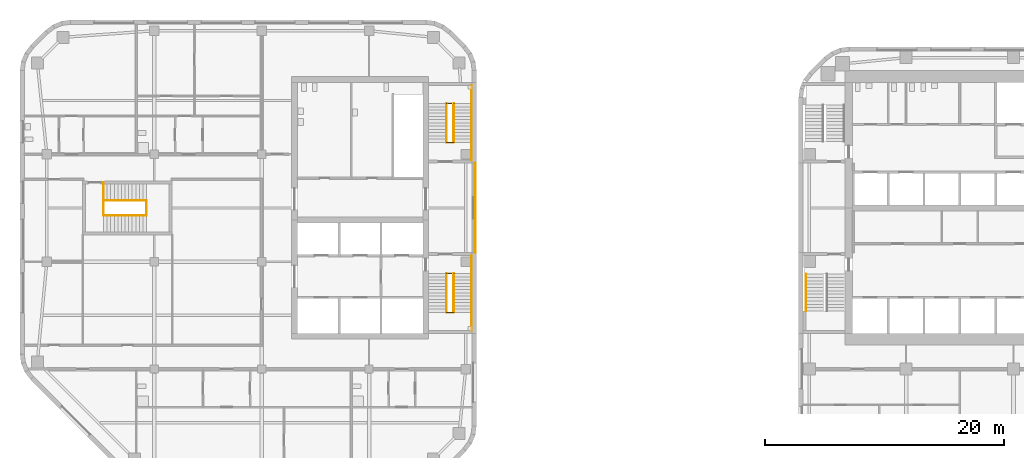
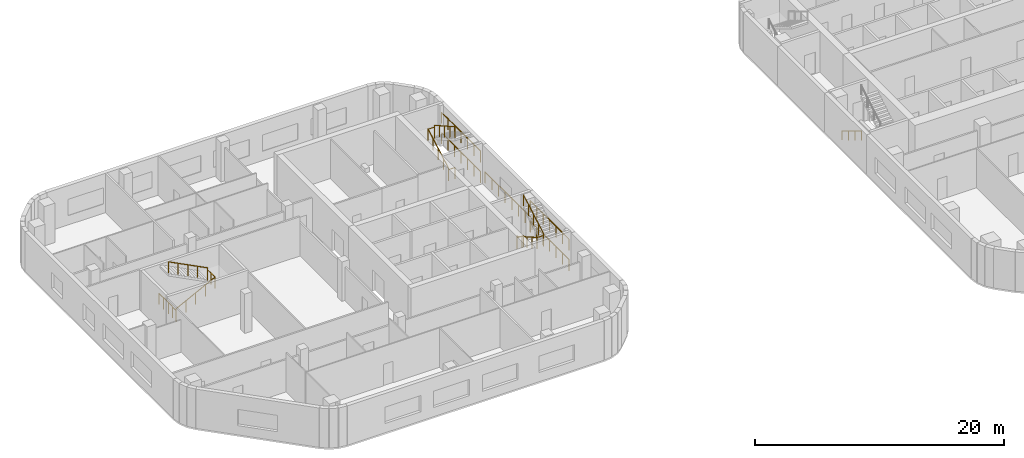
# One storey, part 14 of 16: 19 railings, 1 element without a shape of its own.
"""IFC4 building model written with IfcOpenShell, lengths in metres."""

from ifc_helpers import new_model, si_unit, direction, frame, origin, origin_2d, place, context, subcontext, project, spatial, circle, extrude, material, type_object, element, aggregate, save


model = new_model("IFC4")

# Units and contexts
model_context = context("Model", 3, precision=1e-05, world=origin(), true_north=direction((0.0, 1.0)))
body_context = subcontext(model_context, "Body", "Model", "MODEL_VIEW")
ifc_project = project(units=[si_unit("LENGTHUNIT", "METRE"), si_unit("AREAUNIT", "SQUARE_METRE"), si_unit("VOLUMEUNIT", "CUBIC_METRE"), si_unit("PLANEANGLEUNIT", "RADIAN"), si_unit("MASSUNIT", "GRAM", prefix="KILO")], contexts=[model_context])

# Site, building, storey
site_placement = place(None, origin())
site = spatial("IfcSite", under=ifc_project, at=site_placement, CompositionType="ELEMENT")
building_placement = place(site_placement, origin())
building = spatial("IfcBuilding", under=site, at=building_placement, Name="Cinnabar Reach Civic Tower", CompositionType="ELEMENT")
storey_placement = place(building_placement, frame((0.0, 0.0, 79.0)))
storey = spatial("IfcBuildingStorey", under=building, at=storey_placement, Name="L18", CompositionType="ELEMENT", Elevation=79.0)

# Stair, railing
ifc_material_1 = material(Name="Concrete C40/50", Category="concrete")
stair_type = type_object("IfcStairType", Name="T1 Exit stair, half-turn", PredefinedType="HALF_TURN_STAIR", material=ifc_material_1)
stair_placement = place(storey_placement, origin())
stair = element("IfcStair", 1, at=stair_placement, inside=storey, type_object=stair_type, Name="Stair T1-S1", PredefinedType="HALF_TURN_STAIR")
ifc_material_2 = material(Name="Stainless steel tube", Category="steel")
railing_type_1 = type_object("IfcRailingType", Name="T1 Stair handrail, stainless tube 48", PredefinedType="HANDRAIL", material=ifc_material_2)
railing_1_placement = place(storey_placement, frame((0.6, 25.95, 0.1667)))
railing_1 = element("IfcRailing", 2, at=railing_1_placement, type_object=railing_type_1, Name="T1-S1 handrail 1", PredefinedType="HANDRAIL", context=body_context, shape_type="SweptSolid", body=[
    extrude(circle(Radius=0.024, at=origin_2d()), frame((0.0, 0.0, 0.876), z_axis=(0.0, -0.859296971757, 0.511476992962), x_axis=(1.0, 0.0, 0.0)), (0.0, 0.0, 1.0), 3.5843),
    extrude(circle(Radius=0.021, at=origin_2d()), origin(), (0.0, 0.0, 1.0), 0.852),
    extrude(circle(Radius=0.021, at=origin_2d()), frame((0.0, -1.0267, 0.6111)), (0.0, 0.0, 1.0), 0.852),
    extrude(circle(Radius=0.021, at=origin_2d()), frame((0.0, -2.0533, 1.2222)), (0.0, 0.0, 1.0), 0.852),
    extrude(circle(Radius=0.021, at=origin_2d()), frame((0.0, -3.08, 1.8333)), (0.0, 0.0, 1.0), 0.852),
])
aggregate(stair, [railing_1])

# Railings
ifc_material_3 = material(Name="Stainless steel", Category="steel")
railing_type_2 = type_object("IfcRailingType", Name="T2 Stair guard 1100", PredefinedType="GUARDRAIL", material=ifc_material_3)
railing_2_placement = place(storey_placement, frame((-27.1, 27.75, 0.0)))
element("IfcRailing", 3, at=railing_2_placement, inside=storey, type_object=railing_type_2, Name="Corridor end guard", PredefinedType="GUARDRAIL", context=body_context, shape_type="SweptSolid", body=[
    extrude(circle(Radius=0.024, at=origin_2d()), frame((0.0, 0.0, 1.076), z_axis=(0.0, 1.0, 0.0), x_axis=(-1.0, 0.0, 0.0)), (0.0, 0.0, 1.0), 7.5),
    extrude(circle(Radius=0.021, at=origin_2d()), origin(), (0.0, 0.0, 1.0), 1.052),
    extrude(circle(Radius=0.021, at=origin_2d()), frame((0.0, 1.0714, 0.0)), (0.0, 0.0, 1.0), 1.052),
    extrude(circle(Radius=0.021, at=origin_2d()), frame((0.0, 2.1429, 0.0)), (0.0, 0.0, 1.0), 1.052),
    extrude(circle(Radius=0.021, at=origin_2d()), frame((0.0, 3.2143, 0.0)), (0.0, 0.0, 1.0), 1.052),
    extrude(circle(Radius=0.021, at=origin_2d()), frame((0.0, 4.2857, 0.0)), (0.0, 0.0, 1.0), 1.052),
    extrude(circle(Radius=0.021, at=origin_2d()), frame((0.0, 5.3571, 0.0)), (0.0, 0.0, 1.0), 1.052),
    extrude(circle(Radius=0.021, at=origin_2d()), frame((0.0, 6.4286, 0.0)), (0.0, 0.0, 1.0), 1.052),
    extrude(circle(Radius=0.021, at=origin_2d()), frame((0.0, 7.5, 0.0)), (0.0, 0.0, 1.0), 1.052),
])
for number, where, name in (
    (4, (-27.4, 21.25, 0.0), "Stair guard 1"),
    (5, (-27.4, 21.25, 2.0), "Stair guard 1"),
):
    element("IfcRailing", number, at=place(storey_placement, frame(where)), inside=storey, type_object=railing_type_2, Name=name, PredefinedType="GUARDRAIL", context=body_context, shape_type="SweptSolid", body=[
        extrude(circle(Radius=0.024, at=origin_2d()), frame((0.0, 0.0, 1.076), z_axis=(0.0, 1.0, 0.0), x_axis=(-1.0, 0.0, 0.0)), (0.0, 0.0, 1.0), 6.25),
        extrude(circle(Radius=0.021, at=origin_2d()), origin(), (0.0, 0.0, 1.0), 1.052),
        extrude(circle(Radius=0.021, at=origin_2d()), frame((0.0, 1.0417, 0.0)), (0.0, 0.0, 1.0), 1.052),
        extrude(circle(Radius=0.021, at=origin_2d()), frame((0.0, 2.0833, 0.0)), (0.0, 0.0, 1.0), 1.052),
        extrude(circle(Radius=0.021, at=origin_2d()), frame((0.0, 3.125, 0.0)), (0.0, 0.0, 1.0), 1.052),
        extrude(circle(Radius=0.021, at=origin_2d()), frame((0.0, 4.1667, 0.0)), (0.0, 0.0, 1.0), 1.052),
        extrude(circle(Radius=0.021, at=origin_2d()), frame((0.0, 5.2083, 0.0)), (0.0, 0.0, 1.0), 1.052),
        extrude(circle(Radius=0.021, at=origin_2d()), frame((0.0, 6.25, 0.0)), (0.0, 0.0, 1.0), 1.052),
    ])
for number, where, name in (
    (6, (-29.5, 26.0, 0.0), "Stair guard 1"),
    (7, (-29.5, 22.75, 2.0), "Stair guard 1"),
):
    element("IfcRailing", number, at=place(storey_placement, frame(where)), inside=storey, type_object=railing_type_2, Name=name, PredefinedType="GUARDRAIL", context=body_context, shape_type="SweptSolid", body=[
        extrude(circle(Radius=0.024, at=origin_2d()), frame((0.0, 0.0, 1.076), z_axis=(1.0, 0.0, 0.0), x_axis=(0.0, 1.0, 0.0)), (0.0, 0.0, 1.0), 0.6),
        extrude(circle(Radius=0.021, at=origin_2d()), origin(), (0.0, 0.0, 1.0), 1.052),
        extrude(circle(Radius=0.021, at=origin_2d()), frame((0.6, 0.0, 0.0)), (0.0, 0.0, 1.0), 1.052),
    ])
railing_3_placement = place(storey_placement, frame((-29.5, 26.0, 0.1538)))
element("IfcRailing", 8, at=railing_3_placement, inside=storey, type_object=railing_type_2, Name="Stair guard 1", PredefinedType="GUARDRAIL", context=body_context, shape_type="SweptSolid", body=[
    extrude(circle(Radius=0.024, at=origin_2d()), frame((0.0, 0.0, 1.076), z_axis=(0.0, -0.869501474428, 0.493930345258), x_axis=(1.0, 0.0, 0.0)), (0.0, 0.0, 1.0), 3.7378),
    extrude(circle(Radius=0.021, at=origin_2d()), origin(), (0.0, 0.0, 1.0), 1.052),
    extrude(circle(Radius=0.021, at=origin_2d()), frame((0.0, -0.8125, 0.4615)), (0.0, 0.0, 1.0), 1.052),
    extrude(circle(Radius=0.021, at=origin_2d()), frame((0.0, -1.625, 0.9231)), (0.0, 0.0, 1.0), 1.052),
    extrude(circle(Radius=0.021, at=origin_2d()), frame((0.0, -2.4375, 1.3846)), (0.0, 0.0, 1.0), 1.052),
    extrude(circle(Radius=0.021, at=origin_2d()), frame((0.0, -3.25, 1.8462)), (0.0, 0.0, 1.0), 1.052),
])
railing_4_placement = place(storey_placement, frame((-28.9, 22.75, 2.1538)))
element("IfcRailing", 9, at=railing_4_placement, inside=storey, type_object=railing_type_2, Name="Stair guard 1", PredefinedType="GUARDRAIL", context=body_context, shape_type="SweptSolid", body=[
    extrude(circle(Radius=0.024, at=origin_2d()), frame((0.0, 0.0, 1.076), z_axis=(0.0, 0.869501474428, 0.493930345258), x_axis=(-1.0, 0.0, 0.0)), (0.0, 0.0, 1.0), 3.7378),
    extrude(circle(Radius=0.021, at=origin_2d()), origin(), (0.0, 0.0, 1.0), 1.052),
    extrude(circle(Radius=0.021, at=origin_2d()), frame((0.0, 0.8125, 0.4615)), (0.0, 0.0, 1.0), 1.052),
    extrude(circle(Radius=0.021, at=origin_2d()), frame((0.0, 1.625, 0.9231)), (0.0, 0.0, 1.0), 1.052),
    extrude(circle(Radius=0.021, at=origin_2d()), frame((0.0, 2.4375, 1.3846)), (0.0, 0.0, 1.0), 1.052),
    extrude(circle(Radius=0.021, at=origin_2d()), frame((0.0, 3.25, 1.8462)), (0.0, 0.0, 1.0), 1.052),
])
for number, where, name in (
    (10, (-27.4, 35.5, 0.0), "Stair guard 2"),
    (11, (-27.4, 35.5, 2.0), "Stair guard 2"),
):
    element("IfcRailing", number, at=place(storey_placement, frame(where)), inside=storey, type_object=railing_type_2, Name=name, PredefinedType="GUARDRAIL", context=body_context, shape_type="SweptSolid", body=[
        extrude(circle(Radius=0.024, at=origin_2d()), frame((0.0, 0.0, 1.076), z_axis=(0.0, 1.0, 0.0), x_axis=(-1.0, 0.0, 0.0)), (0.0, 0.0, 1.0), 6.25),
        extrude(circle(Radius=0.021, at=origin_2d()), origin(), (0.0, 0.0, 1.0), 1.052),
        extrude(circle(Radius=0.021, at=origin_2d()), frame((0.0, 1.0417, 0.0)), (0.0, 0.0, 1.0), 1.052),
        extrude(circle(Radius=0.021, at=origin_2d()), frame((0.0, 2.0833, 0.0)), (0.0, 0.0, 1.0), 1.052),
        extrude(circle(Radius=0.021, at=origin_2d()), frame((0.0, 3.125, 0.0)), (0.0, 0.0, 1.0), 1.052),
        extrude(circle(Radius=0.021, at=origin_2d()), frame((0.0, 4.1667, 0.0)), (0.0, 0.0, 1.0), 1.052),
        extrude(circle(Radius=0.021, at=origin_2d()), frame((0.0, 5.2083, 0.0)), (0.0, 0.0, 1.0), 1.052),
        extrude(circle(Radius=0.021, at=origin_2d()), frame((0.0, 6.25, 0.0)), (0.0, 0.0, 1.0), 1.052),
    ])
for number, where, name in (
    (12, (-29.5, 37.0, 0.0), "Stair guard 2"),
    (13, (-29.5, 40.25, 2.0), "Stair guard 2"),
):
    element("IfcRailing", number, at=place(storey_placement, frame(where)), inside=storey, type_object=railing_type_2, Name=name, PredefinedType="GUARDRAIL", context=body_context, shape_type="SweptSolid", body=[
        extrude(circle(Radius=0.024, at=origin_2d()), frame((0.0, 0.0, 1.076), z_axis=(1.0, 0.0, 0.0), x_axis=(0.0, 1.0, 0.0)), (0.0, 0.0, 1.0), 0.6),
        extrude(circle(Radius=0.021, at=origin_2d()), origin(), (0.0, 0.0, 1.0), 1.052),
        extrude(circle(Radius=0.021, at=origin_2d()), frame((0.6, 0.0, 0.0)), (0.0, 0.0, 1.0), 1.052),
    ])
railing_5_placement = place(storey_placement, frame((-29.5, 37.0, 0.1538)))
element("IfcRailing", 14, at=railing_5_placement, inside=storey, type_object=railing_type_2, Name="Stair guard 2", PredefinedType="GUARDRAIL", context=body_context, shape_type="SweptSolid", body=[
    extrude(circle(Radius=0.024, at=origin_2d()), frame((0.0, 0.0, 1.076), z_axis=(0.0, 0.869501474428, 0.493930345258), x_axis=(-1.0, 0.0, 0.0)), (0.0, 0.0, 1.0), 3.7378),
    extrude(circle(Radius=0.021, at=origin_2d()), origin(), (0.0, 0.0, 1.0), 1.052),
    extrude(circle(Radius=0.021, at=origin_2d()), frame((0.0, 0.8125, 0.4615)), (0.0, 0.0, 1.0), 1.052),
    extrude(circle(Radius=0.021, at=origin_2d()), frame((0.0, 1.625, 0.9231)), (0.0, 0.0, 1.0), 1.052),
    extrude(circle(Radius=0.021, at=origin_2d()), frame((0.0, 2.4375, 1.3846)), (0.0, 0.0, 1.0), 1.052),
    extrude(circle(Radius=0.021, at=origin_2d()), frame((0.0, 3.25, 1.8462)), (0.0, 0.0, 1.0), 1.052),
])
railing_6_placement = place(storey_placement, frame((-28.9, 40.25, 2.1538)))
element("IfcRailing", 15, at=railing_6_placement, inside=storey, type_object=railing_type_2, Name="Stair guard 2", PredefinedType="GUARDRAIL", context=body_context, shape_type="SweptSolid", body=[
    extrude(circle(Radius=0.024, at=origin_2d()), frame((0.0, 0.0, 1.076), z_axis=(0.0, -0.869501474428, 0.493930345258), x_axis=(1.0, 0.0, 0.0)), (0.0, 0.0, 1.0), 3.7378),
    extrude(circle(Radius=0.021, at=origin_2d()), origin(), (0.0, 0.0, 1.0), 1.052),
    extrude(circle(Radius=0.021, at=origin_2d()), frame((0.0, -0.8125, 0.4615)), (0.0, 0.0, 1.0), 1.052),
    extrude(circle(Radius=0.021, at=origin_2d()), frame((0.0, -1.625, 0.9231)), (0.0, 0.0, 1.0), 1.052),
    extrude(circle(Radius=0.021, at=origin_2d()), frame((0.0, -2.4375, 1.3846)), (0.0, 0.0, 1.0), 1.052),
    extrude(circle(Radius=0.021, at=origin_2d()), frame((0.0, -3.25, 1.8462)), (0.0, 0.0, 1.0), 1.052),
])
railing_7_placement = place(storey_placement, frame((-58.25, 30.875, 0.0)))
element("IfcRailing", 16, at=railing_7_placement, inside=storey, type_object=railing_type_2, Name="Stair guard 3", PredefinedType="GUARDRAIL", context=body_context, shape_type="SweptSolid", body=[
    extrude(circle(Radius=0.024, at=origin_2d()), frame((0.0, 0.0, 1.076), z_axis=(0.0, 1.0, 0.0), x_axis=(-1.0, 0.0, 0.0)), (0.0, 0.0, 1.0), 1.25),
    extrude(circle(Radius=0.021, at=origin_2d()), origin(), (0.0, 0.0, 1.0), 1.052),
    extrude(circle(Radius=0.021, at=origin_2d()), frame((0.0, 0.625, 0.0)), (0.0, 0.0, 1.0), 1.052),
    extrude(circle(Radius=0.021, at=origin_2d()), frame((0.0, 1.25, 0.0)), (0.0, 0.0, 1.0), 1.052),
])
railing_8_placement = place(storey_placement, frame((-58.25, 32.125, 0.0)))
element("IfcRailing", 17, at=railing_8_placement, inside=storey, type_object=railing_type_2, Name="Stair guard 3", PredefinedType="GUARDRAIL", context=body_context, shape_type="SweptSolid", body=[
    extrude(circle(Radius=0.024, at=origin_2d()), frame((0.0, 0.0, 1.076), z_axis=(0.0, 1.0, 0.0), x_axis=(-1.0, 0.0, 0.0)), (0.0, 0.0, 1.0), 1.5),
    extrude(circle(Radius=0.021, at=origin_2d()), origin(), (0.0, 0.0, 1.0), 1.052),
    extrude(circle(Radius=0.021, at=origin_2d()), frame((0.0, 0.75, 0.0)), (0.0, 0.0, 1.0), 1.052),
    extrude(circle(Radius=0.021, at=origin_2d()), frame((0.0, 1.5, 0.0)), (0.0, 0.0, 1.0), 1.052),
])
railing_9_placement = place(storey_placement, frame((-54.65, 30.875, 2.0)))
element("IfcRailing", 18, at=railing_9_placement, inside=storey, type_object=railing_type_2, Name="Stair guard 3", PredefinedType="GUARDRAIL", context=body_context, shape_type="SweptSolid", body=[
    extrude(circle(Radius=0.024, at=origin_2d()), frame((0.0, 0.0, 1.076), z_axis=(0.0, 1.0, 0.0), x_axis=(-1.0, 0.0, 0.0)), (0.0, 0.0, 1.0), 1.25),
    extrude(circle(Radius=0.021, at=origin_2d()), origin(), (0.0, 0.0, 1.0), 1.052),
    extrude(circle(Radius=0.021, at=origin_2d()), frame((0.0, 0.625, 0.0)), (0.0, 0.0, 1.0), 1.052),
    extrude(circle(Radius=0.021, at=origin_2d()), frame((0.0, 1.25, 0.0)), (0.0, 0.0, 1.0), 1.052),
])
railing_10_placement = place(storey_placement, frame((-58.25, 30.875, 0.1538)))
element("IfcRailing", 19, at=railing_10_placement, inside=storey, type_object=railing_type_2, Name="Stair guard 3", PredefinedType="GUARDRAIL", context=body_context, shape_type="SweptSolid", body=[
    extrude(circle(Radius=0.024, at=origin_2d()), frame((0.0, 0.0, 1.076), z_axis=(0.889812830738, 0.0, 0.45632568003), x_axis=(0.0, 1.0, 0.0)), (0.0, 0.0, 1.0), 4.0458),
    extrude(circle(Radius=0.021, at=origin_2d()), origin(), (0.0, 0.0, 1.0), 1.052),
    extrude(circle(Radius=0.021, at=origin_2d()), frame((0.9, 0.0, 0.4615)), (0.0, 0.0, 1.0), 1.052),
    extrude(circle(Radius=0.021, at=origin_2d()), frame((1.8, 0.0, 0.9231)), (0.0, 0.0, 1.0), 1.052),
    extrude(circle(Radius=0.021, at=origin_2d()), frame((2.7, 0.0, 1.3846)), (0.0, 0.0, 1.0), 1.052),
    extrude(circle(Radius=0.021, at=origin_2d()), frame((3.6, 0.0, 1.8462)), (0.0, 0.0, 1.0), 1.052),
])
railing_11_placement = place(storey_placement, frame((-54.65, 32.125, 2.1538)))
element("IfcRailing", 20, at=railing_11_placement, inside=storey, type_object=railing_type_2, Name="Stair guard 3", PredefinedType="GUARDRAIL", context=body_context, shape_type="SweptSolid", body=[
    extrude(circle(Radius=0.024, at=origin_2d()), frame((0.0, 0.0, 1.076), z_axis=(-0.889812830738, 0.0, 0.45632568003), x_axis=(0.0, -1.0, 0.0)), (0.0, 0.0, 1.0), 4.0458),
    extrude(circle(Radius=0.021, at=origin_2d()), origin(), (0.0, 0.0, 1.0), 1.052),
    extrude(circle(Radius=0.021, at=origin_2d()), frame((-0.9, 0.0, 0.4615)), (0.0, 0.0, 1.0), 1.052),
    extrude(circle(Radius=0.021, at=origin_2d()), frame((-1.8, 0.0, 0.9231)), (0.0, 0.0, 1.0), 1.052),
    extrude(circle(Radius=0.021, at=origin_2d()), frame((-2.7, 0.0, 1.3846)), (0.0, 0.0, 1.0), 1.052),
    extrude(circle(Radius=0.021, at=origin_2d()), frame((-3.6, 0.0, 1.8462)), (0.0, 0.0, 1.0), 1.052),
])

save(model, "model.ifc")
